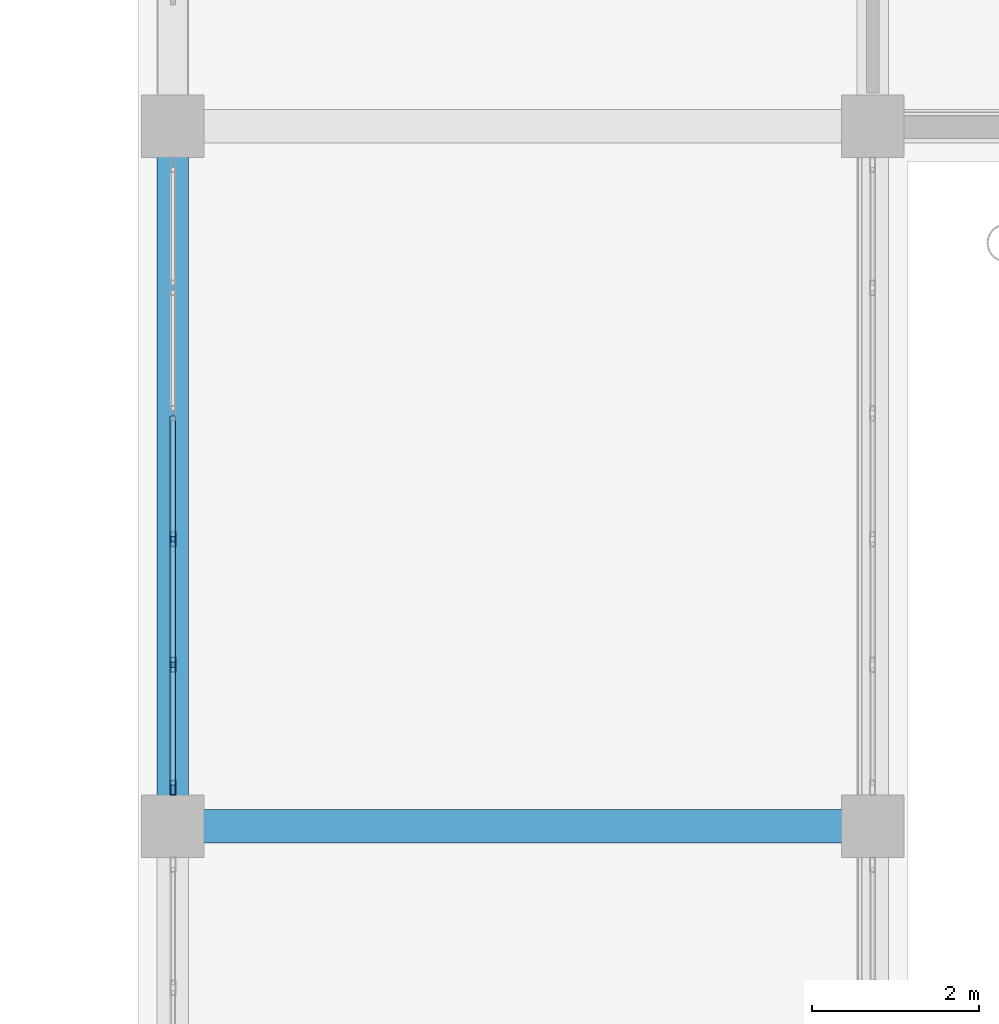
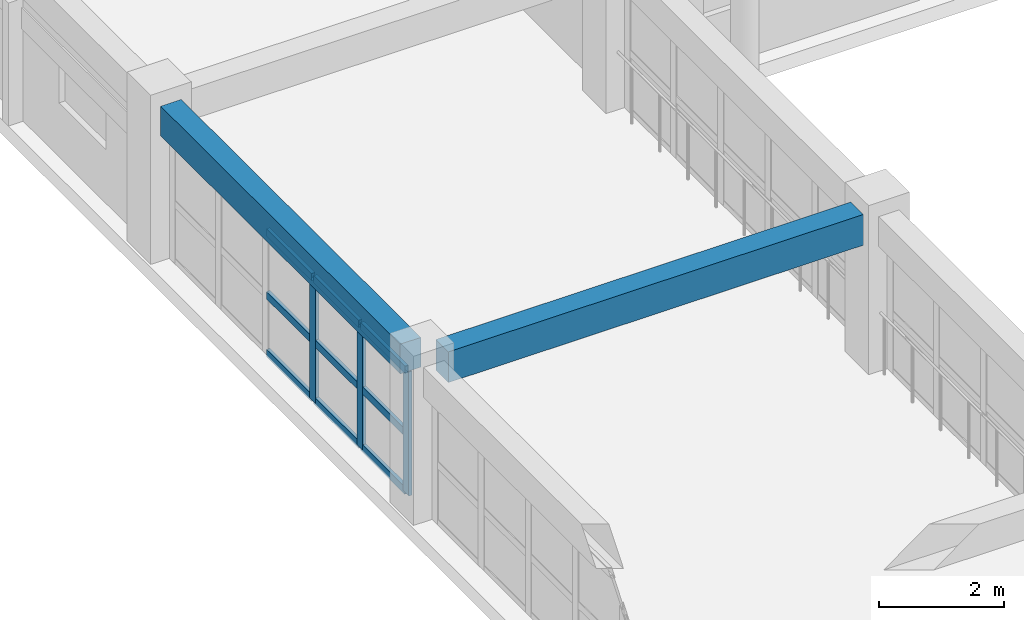
# One storey, part 134 of 200: 12 members, 2 beams, 1 element without a shape of its own.
"""IFC4 building model written with IfcOpenShell, lengths in metres."""

from ifc_helpers import new_model, si_unit, direction, frame, origin, origin_2d, place, context, subcontext, project, spatial, rectangle, hollow_rectangle, extrude, material, layer, layer_set, material_profile, profile_set, type_object, element, aggregate, save


model = new_model("IFC4")

# Units and contexts
model_context = context("Model", 3, precision=1e-05, world=origin(), true_north=direction((0.0, 1.0)))
body_context = subcontext(model_context, "Body", "Model", "MODEL_VIEW")
ifc_project = project(units=[si_unit("LENGTHUNIT", "METRE"), si_unit("AREAUNIT", "SQUARE_METRE"), si_unit("VOLUMEUNIT", "CUBIC_METRE"), si_unit("PLANEANGLEUNIT", "RADIAN"), si_unit("MASSUNIT", "GRAM", prefix="KILO")], contexts=[model_context])

# Site, building, storey
site_placement = place(None, origin())
site = spatial("IfcSite", under=ifc_project, at=site_placement, CompositionType="ELEMENT")
building_placement = place(site_placement, origin())
building = spatial("IfcBuilding", under=site, at=building_placement, Name="Trelvath General Hospital", CompositionType="ELEMENT")
storey_placement = place(building_placement, frame((0.0, 0.0, 4.800048828125)))
storey = spatial("IfcBuildingStorey", under=building, at=storey_placement, Name="L01", CompositionType="ELEMENT", Elevation=4.800048828125)

# Beams
ifc_material_1 = material(Name="Concrete C35/45", Category="concrete")
ifc_material_profile_1 = material_profile(ifc_material_1, rectangle(XDim=0.3798828125, YDim=0.580078125, at=origin_2d()), Name="RCB380x580")
ifc_profile_set_1 = profile_set([ifc_material_profile_1], Name="Concrete C35/45")
beam_type_1 = type_object("IfcBeamType", Name="Beam RC380x580", PredefinedType="BEAM", material=ifc_profile_set_1)
beam_1_placement = place(storey_placement, frame((134.39990234375, 59.169921875, 2.72998046875), z_axis=(0.0, 1.0, 0.0), x_axis=(-1.0, 0.0, 0.0)))
element("IfcBeam", 1, at=beam_1_placement, inside=storey, type_object=beam_type_1, Name="Grid Beam BY-116H", PredefinedType="BEAM", context=body_context, shape_type="SweptSolid", body=[
    extrude(rectangle(XDim=0.3798828125, YDim=0.580078125, at=origin_2d()), origin(), (0.0, 0.0, 1.0), 7.66015625),
])
ifc_material_2 = material(Name="Concrete C35/45", Category="concrete")
ifc_material_profile_2 = material_profile(ifc_material_2, rectangle(XDim=0.39990234375, YDim=0.60009765625, at=origin_2d()), Name="RCB400x600")
ifc_profile_set_2 = profile_set([ifc_material_profile_2], Name="Concrete C35/45")
beam_type_2 = type_object("IfcBeamType", Name="Beam RC400x600", PredefinedType="BEAM", material=ifc_profile_set_2)
beam_2_placement = place(storey_placement, frame((134.77001953125, 58.800048828125, 2.719970703125), z_axis=(1.0, 0.0, 0.0), x_axis=(0.0, 1.0, 0.0)))
element("IfcBeam", 2, at=beam_2_placement, inside=storey, type_object=beam_type_2, Name="Grid Beam BX-116H", PredefinedType="BEAM", context=body_context, shape_type="SweptSolid", body=[
    extrude(rectangle(XDim=0.39990234375, YDim=0.60009765625, at=origin_2d()), origin(), (0.0, 0.0, 1.0), 7.659912109375),
])

# Curtain wall, members
ifc_material_3 = material(Name="Anodised aluminium and low-E glass", Category="aluminium")
ifc_layer = layer(ifc_material_3, 0.179931640625)
ifc_layer_set = layer_set([ifc_layer], Name="Anodised aluminium and low-E glass")
curtain_wall_type = type_object("IfcCurtainWallType", Name="CW Facade 754 242 18", PredefinedType="USERDEFINED", material=ifc_layer_set)
curtain_wall_placement = place(storey_placement, origin())
curtain_wall = element("IfcCurtainWall", 3, at=curtain_wall_placement, inside=storey, type_object=curtain_wall_type, Name="Facade Curtain Wall CW-028", ObjectType="Unitised Glazed Curtain Wall", PredefinedType="USERDEFINED")
ifc_material_4 = material(Name="Anodised aluminium", Category="aluminium")
ifc_material_profile_3 = material_profile(ifc_material_4, hollow_rectangle(XDim=0.06494140625, YDim=0.179931640625, WallThickness=0.0048828125, at=origin_2d()), Name="RHS65x180x5")
ifc_profile_set_3 = profile_set([ifc_material_profile_3], Name="Anodised aluminium")
member_type_1 = type_object("IfcMemberType", Name="CurtainMullion 65x180", PredefinedType="MULLION", material=ifc_profile_set_3)
member_1_placement = place(storey_placement, frame((134.39990234375, 59.262451171875, 0.0), z_axis=(0.0, 0.0, 1.0), x_axis=(-1.0, 0.0, 0.0)))
member_1 = element("IfcMember", 4, at=member_1_placement, type_object=member_type_1, Name="CW-028 mullion 1", PredefinedType="MULLION", context=body_context, shape_type="SweptSolid", body=[
    extrude(hollow_rectangle(XDim=0.06494140625, YDim=0.179931640625, WallThickness=0.0048828125, at=origin_2d()), origin(), (0.0, 0.0, 1.0), 2.419921875),
])
member_2_placement = place(storey_placement, frame((134.39990234375, 60.738037109375, 0.0), z_axis=(0.0, 0.0, 1.0), x_axis=(-1.0, 0.0, 0.0)))
member_2 = element("IfcMember", 5, at=member_2_placement, type_object=member_type_1, Name="CW-028 mullion 2", PredefinedType="MULLION", context=body_context, shape_type="SweptSolid", body=[
    extrude(hollow_rectangle(XDim=0.06494140625, YDim=0.179931640625, WallThickness=0.0048828125, at=origin_2d()), origin(), (0.0, 0.0, 1.0), 2.419921875),
])
member_3_placement = place(storey_placement, frame((134.39990234375, 62.24609375, 0.0), z_axis=(0.0, 0.0, 1.0), x_axis=(-1.0, 0.0, 0.0)))
member_3 = element("IfcMember", 6, at=member_3_placement, type_object=member_type_1, Name="CW-028 mullion 3", PredefinedType="MULLION", context=body_context, shape_type="SweptSolid", body=[
    extrude(hollow_rectangle(XDim=0.06494140625, YDim=0.179931640625, WallThickness=0.0048828125, at=origin_2d()), origin(), (0.0, 0.0, 1.0), 2.419921875),
])
ifc_material_5 = material(Name="Anodised aluminium", Category="aluminium")
ifc_material_profile_4 = material_profile(ifc_material_5, hollow_rectangle(XDim=0.06494140625, YDim=0.14501953125, WallThickness=0.00390625, at=origin_2d()), Name="RHS65x145x4")
ifc_profile_set_4 = profile_set([ifc_material_profile_4], Name="Anodised aluminium")
member_type_2 = type_object("IfcMemberType", Name="CurtainTransom 65x145", PredefinedType="USERDEFINED", material=ifc_profile_set_4)
member_4_placement = place(storey_placement, frame((134.39990234375, 59.294921875, 0.032470703125), z_axis=(0.0, 1.0, 0.0), x_axis=(-1.0, 0.0, 0.0)))
member_4 = element("IfcMember", 7, at=member_4_placement, type_object=member_type_2, Name="CW-028 transom 1.1", ObjectType="TRANSOM", PredefinedType="USERDEFINED", context=body_context, shape_type="SweptSolid", body=[
    extrude(hollow_rectangle(XDim=0.06494140625, YDim=0.14501953125, WallThickness=0.00390625, at=origin_2d()), origin(), (0.0, 0.0, 1.0), 1.41064453125),
])
member_5_placement = place(storey_placement, frame((134.39990234375, 59.294921875, 1.161865234375), z_axis=(0.0, 1.0, 0.0), x_axis=(-1.0, 0.0, 0.0)))
member_5 = element("IfcMember", 8, at=member_5_placement, type_object=member_type_2, Name="CW-028 transom 1.2", ObjectType="TRANSOM", PredefinedType="USERDEFINED", context=body_context, shape_type="SweptSolid", body=[
    extrude(hollow_rectangle(XDim=0.06494140625, YDim=0.14501953125, WallThickness=0.00390625, at=origin_2d()), origin(), (0.0, 0.0, 1.0), 1.41064453125),
])
member_6_placement = place(storey_placement, frame((134.39990234375, 59.294921875, 2.387451171875), z_axis=(0.0, 1.0, 0.0), x_axis=(-1.0, 0.0, 0.0)))
member_6 = element("IfcMember", 9, at=member_6_placement, type_object=member_type_2, Name="CW-028 transom 1.3", ObjectType="TRANSOM", PredefinedType="USERDEFINED", context=body_context, shape_type="SweptSolid", body=[
    extrude(hollow_rectangle(XDim=0.06494140625, YDim=0.14501953125, WallThickness=0.00390625, at=origin_2d()), origin(), (0.0, 0.0, 1.0), 1.41064453125),
])
member_7_placement = place(storey_placement, frame((134.39990234375, 60.7705078125, 0.032470703125), z_axis=(0.0, 1.0, 0.0), x_axis=(-1.0, 0.0, 0.0)))
member_7 = element("IfcMember", 10, at=member_7_placement, type_object=member_type_2, Name="CW-028 transom 2.1", ObjectType="TRANSOM", PredefinedType="USERDEFINED", context=body_context, shape_type="SweptSolid", body=[
    extrude(hollow_rectangle(XDim=0.06494140625, YDim=0.14501953125, WallThickness=0.00390625, at=origin_2d()), origin(), (0.0, 0.0, 1.0), 1.44287109375),
])
member_8_placement = place(storey_placement, frame((134.39990234375, 60.7705078125, 1.161865234375), z_axis=(0.0, 1.0, 0.0), x_axis=(-1.0, 0.0, 0.0)))
member_8 = element("IfcMember", 11, at=member_8_placement, type_object=member_type_2, Name="CW-028 transom 2.2", ObjectType="TRANSOM", PredefinedType="USERDEFINED", context=body_context, shape_type="SweptSolid", body=[
    extrude(hollow_rectangle(XDim=0.06494140625, YDim=0.14501953125, WallThickness=0.00390625, at=origin_2d()), origin(), (0.0, 0.0, 1.0), 1.44287109375),
])
member_9_placement = place(storey_placement, frame((134.39990234375, 60.7705078125, 2.387451171875), z_axis=(0.0, 1.0, 0.0), x_axis=(-1.0, 0.0, 0.0)))
member_9 = element("IfcMember", 12, at=member_9_placement, type_object=member_type_2, Name="CW-028 transom 2.3", ObjectType="TRANSOM", PredefinedType="USERDEFINED", context=body_context, shape_type="SweptSolid", body=[
    extrude(hollow_rectangle(XDim=0.06494140625, YDim=0.14501953125, WallThickness=0.00390625, at=origin_2d()), origin(), (0.0, 0.0, 1.0), 1.44287109375),
])
member_10_placement = place(storey_placement, frame((134.39990234375, 62.278564453125, 0.032470703125), z_axis=(0.0, 1.0, 0.0), x_axis=(-1.0, 0.0, 0.0)))
member_10 = element("IfcMember", 13, at=member_10_placement, type_object=member_type_2, Name="CW-028 transom 3.1", ObjectType="TRANSOM", PredefinedType="USERDEFINED", context=body_context, shape_type="SweptSolid", body=[
    extrude(hollow_rectangle(XDim=0.06494140625, YDim=0.14501953125, WallThickness=0.00390625, at=origin_2d()), origin(), (0.0, 0.0, 1.0), 1.44287109375),
])
member_11_placement = place(storey_placement, frame((134.39990234375, 62.278564453125, 1.161865234375), z_axis=(0.0, 1.0, 0.0), x_axis=(-1.0, 0.0, 0.0)))
member_11 = element("IfcMember", 14, at=member_11_placement, type_object=member_type_2, Name="CW-028 transom 3.2", ObjectType="TRANSOM", PredefinedType="USERDEFINED", context=body_context, shape_type="SweptSolid", body=[
    extrude(hollow_rectangle(XDim=0.06494140625, YDim=0.14501953125, WallThickness=0.00390625, at=origin_2d()), origin(), (0.0, 0.0, 1.0), 1.44287109375),
])
member_12_placement = place(storey_placement, frame((134.39990234375, 62.278564453125, 2.387451171875), z_axis=(0.0, 1.0, 0.0), x_axis=(-1.0, 0.0, 0.0)))
member_12 = element("IfcMember", 15, at=member_12_placement, type_object=member_type_2, Name="CW-028 transom 3.3", ObjectType="TRANSOM", PredefinedType="USERDEFINED", context=body_context, shape_type="SweptSolid", body=[
    extrude(hollow_rectangle(XDim=0.06494140625, YDim=0.14501953125, WallThickness=0.00390625, at=origin_2d()), origin(), (0.0, 0.0, 1.0), 1.44287109375),
])
aggregate(curtain_wall, [member_1, member_2, member_3, member_4, member_5, member_6, member_7, member_8, member_9, member_10, member_11, member_12])

save(model, "model.ifc")
